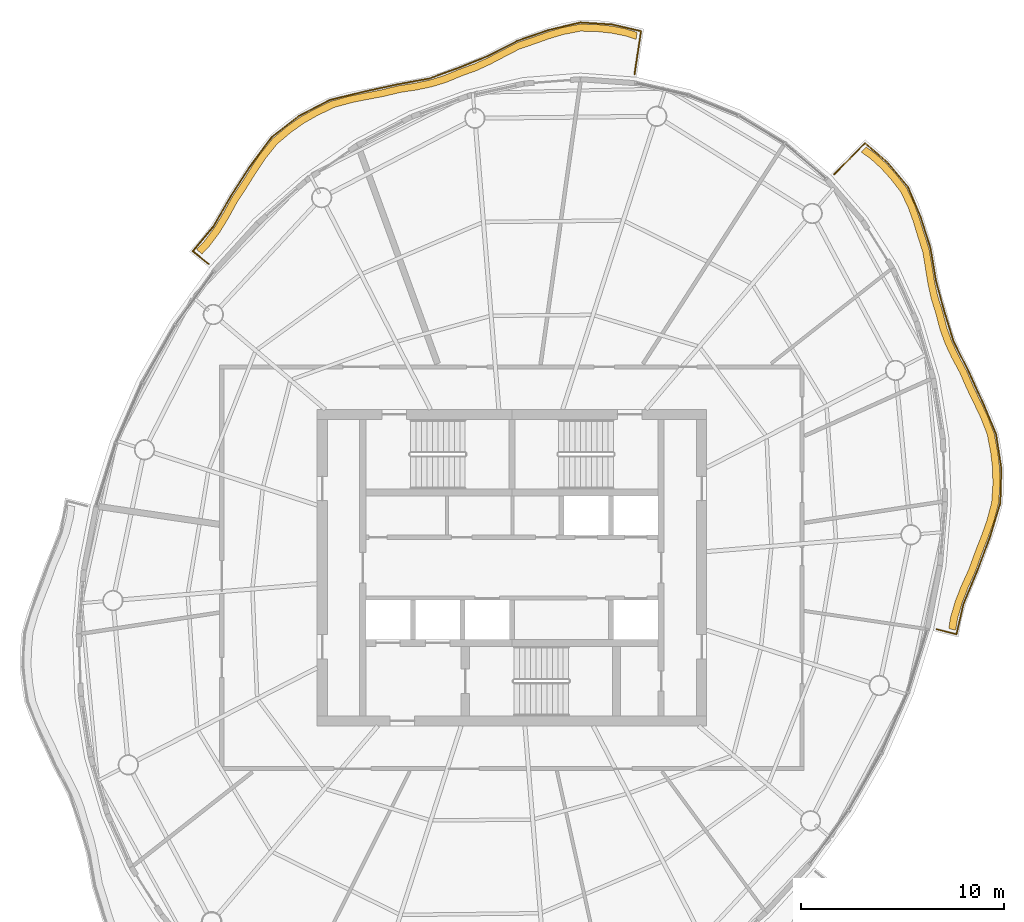
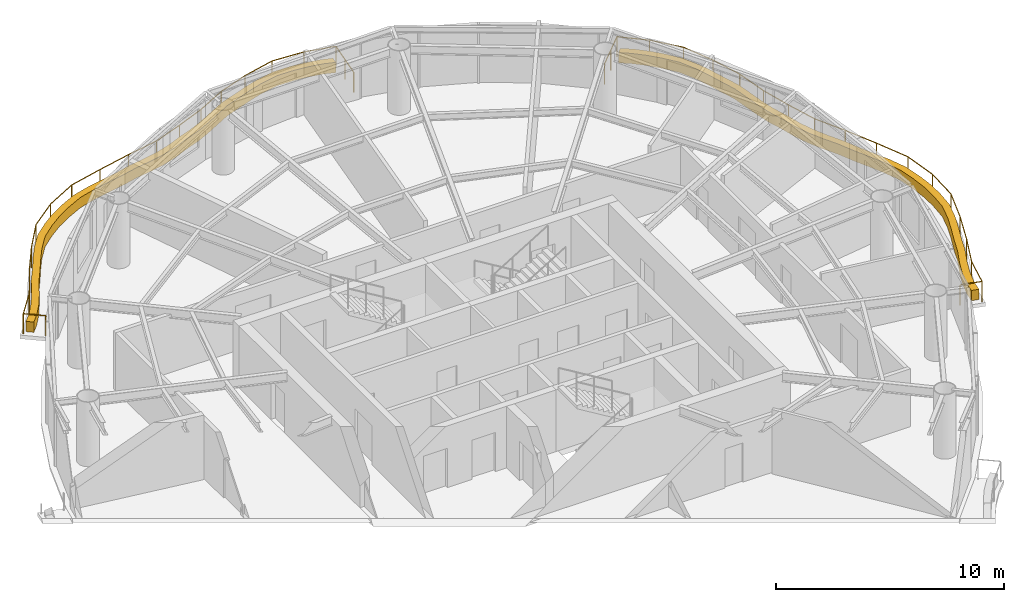
# One storey, part 13 of 13: 2 coverings, 2 railings.
"""IFC4 building model written with IfcOpenShell, lengths in metres."""

from ifc_helpers import new_model, si_unit, direction, frame, origin, origin_2d, place, context, subcontext, project, spatial, polyline, circle, outline, extrude, material, type_object, element, save


model = new_model("IFC4")

# Units and contexts
model_context = context("Model", 3, precision=1e-05, world=origin(), true_north=direction((0.0, 1.0)))
body_context = subcontext(model_context, "Body", "Model", "MODEL_VIEW")
ifc_project = project(units=[si_unit("LENGTHUNIT", "METRE"), si_unit("AREAUNIT", "SQUARE_METRE"), si_unit("VOLUMEUNIT", "CUBIC_METRE"), si_unit("PLANEANGLEUNIT", "RADIAN"), si_unit("MASSUNIT", "GRAM", prefix="KILO")], contexts=[model_context])

# Site, building, storey
site_placement = place(None, origin())
site = spatial("IfcSite", under=ifc_project, at=site_placement, CompositionType="ELEMENT")
building_placement = place(site_placement, origin())
building = spatial("IfcBuilding", under=site, at=building_placement, Name="Vermilion Reach Broadcast Tower", CompositionType="ELEMENT")
storey_placement = place(building_placement, frame((0.0, 0.0, 286.5)))
storey = spatial("IfcBuildingStorey", under=building, at=storey_placement, Name="L71", CompositionType="ELEMENT", Elevation=286.5)

# Coverings
ifc_material_1 = material(Name="Planting soil and greenery")
covering_type = type_object("IfcCoveringType", Name="Balcony PLANTER", PredefinedType="USERDEFINED", material=ifc_material_1)
placement = place(storey_placement, origin())
element("IfcCovering", 1, at=placement, inside=storey, type_object=covering_type, Name="PLANTER L71 group 1", ObjectType="PLANTER", PredefinedType="USERDEFINED", context=body_context, shape_type="SweptSolid", body=[
    extrude(outline(polyline([(0.17138671875, 26.37646484375), (-0.380126953125, 26.5556640625), (-1.064697265625, 26.69189453125), (-1.75390625, 26.766845703125), (-2.627197265625, 26.792236328125), (-3.504150390625, 26.622802734375), (-4.19775390625, 26.4150390625), (-4.888427734375, 26.1689453125), (-5.701904296875, 25.8935546875), (-6.484130859375, 25.495849609375), (-7.149169921875, 25.146484375), (-7.822998046875, 24.837158203125), (-8.5810546875, 24.5673828125), (-9.33642578125, 24.252685546875), (-10.04833984375, 24.032470703125), (-10.784423828125, 23.876708984375), (-11.622802734375, 23.744873046875), (-12.4755859375, 23.53759765625), (-13.25927734375, 23.38818359375), (-14.0400390625, 23.23291015625), (-14.927001953125, 22.986572265625), (-15.763427734375, 22.58203125), (-16.447265625, 22.196044921875), (-17.08544921875, 21.74462890625), (-17.792236328125, 21.150146484375), (-18.38818359375, 20.411865234375), (-18.846435546875, 19.72509765625), (-19.287109375, 19.01806640625), (-19.79248046875, 18.2568359375), (-20.2373046875, 17.451904296875), (-20.668212890625, 16.748291015625), (-21.155517578125, 16.095947265625), (-21.54443359375, 15.680419921875), (-21.272705078125, 15.4599609375), (-20.896240234375, 15.861083984375), (-20.40869140625, 16.513427734375), (-19.97802734375, 17.216796875), (-19.546630859375, 18.007568359375), (-19.055908203125, 18.75537109375), (-18.615234375, 19.46240234375), (-18.156982421875, 20.149169921875), (-17.57666015625, 20.87451171875), (-16.886474609375, 21.456787109375), (-16.248291015625, 21.908203125), (-15.564453125, 22.2939453125), (-14.745849609375, 22.68701171875), (-13.87744140625, 22.9228515625), (-13.096923828125, 23.078125), (-12.31298828125, 23.227783203125), (-11.480712890625, 23.425048828125), (-10.662841796875, 23.548583984375), (-9.927001953125, 23.7041015625), (-9.21484375, 23.92431640625), (-8.482177734375, 24.231689453125), (-7.7470703125, 24.49560546875), (-7.072998046875, 24.804931640625), (-6.407958984375, 25.154052734375), (-5.650390625, 25.547607421875), (-4.861572265625, 25.820068359375), (-4.1708984375, 26.066162109375), (-3.477294921875, 26.27392578125), (-2.626220703125, 26.442138671875), (-1.779052734375, 26.417724609375), (-1.090087890625, 26.3427734375), (-0.4052734375, 26.206787109375), (0.119384765625, 26.030517578125), (0.17138671875, 26.37646484375)])), origin(), (0.0, 0.0, 1.0), 0.550048828125),
])
element("IfcCovering", 2, at=placement, inside=storey, type_object=covering_type, Name="PLANTER L71 group 4", ObjectType="PLANTER", PredefinedType="USERDEFINED", context=body_context, shape_type="SweptSolid", body=[
    extrude(outline(polyline([(15.86767578125, -3.085693359375), (15.9609375, -2.523681640625), (16.185791015625, -1.74169921875), (16.486328125, -0.974609375), (16.861572265625, -0.136962890625), (17.168212890625, 0.72216796875), (17.472412109375, 1.498046875), (17.752197265625, 2.275634765625), (17.992919921875, 3.19384765625), (18.05322265625, 4.115234375), (18.04052734375, 4.897216796875), (17.94775390625, 5.676025390625), (17.777587890625, 6.589599609375), (17.4482421875, 7.449462890625), (17.10791015625, 8.168212890625), (16.758544921875, 8.8857421875), (16.412109375, 9.69384765625), (16.011962890625, 10.44482421875), (15.691162109375, 11.1259765625), (15.435546875, 11.82666015625), (15.22998046875, 12.6181640625), (14.988037109375, 13.384033203125), (14.82861328125, 14.107421875), (14.708251953125, 14.84814453125), (14.55908203125, 15.711181640625), (14.294921875, 16.527099609375), (14.08154296875, 17.229248046875), (13.837158203125, 17.911865234375), (13.453369140625, 18.718505859375), (12.916015625, 19.406982421875), (12.448486328125, 19.91845703125), (11.934326171875, 20.3896484375), (11.463623046875, 20.728515625), (11.21728515625, 20.47998046875), (11.669677734375, 20.16064453125), (12.18359375, 19.689453125), (12.651123046875, 19.177978515625), (13.17236328125, 18.510009765625), (13.541259765625, 17.724609375), (13.78564453125, 17.042236328125), (13.9990234375, 16.340087890625), (14.250732421875, 15.54541015625), (14.388916015625, 14.704833984375), (14.50927734375, 13.964111328125), (14.668701171875, 13.24072265625), (14.90185546875, 12.49658203125), (15.099853515625, 11.727783203125), (15.355224609375, 11.027099609375), (15.67626953125, 10.345703125), (16.07080078125, 9.61669921875), (16.4130859375, 8.830810546875), (16.76220703125, 8.11328125), (17.1025390625, 7.394287109375), (17.42919921875, 6.5556640625), (17.597900390625, 5.66357421875), (17.69091796875, 4.884521484375), (17.70361328125, 4.1025390625), (17.64306640625, 3.20166015625), (17.4033203125, 2.303955078125), (17.12353515625, 1.5263671875), (16.8193359375, 0.75048828125), (16.514892578125, -0.089111328125), (16.14306640625, -0.9072265625), (15.84228515625, -1.67431640625), (15.61767578125, -2.456298828125), (15.5283203125, -2.99951171875), (15.86767578125, -3.085693359375)])), origin(), (0.0, 0.0, 1.0), 0.550048828125),
])

# Railings
ifc_material_2 = material(Name="Stainless steel 316 balustrade", Category="steel")
railing_type = type_object("IfcRailingType", Name="Balcony guard 1100", PredefinedType="BALUSTRADE", material=ifc_material_2)
railing_1_placement = place(storey_placement, frame((0.044677734375, 24.33056640625, 0.0)))
element("IfcRailing", 3, at=railing_1_placement, inside=storey, type_object=railing_type, Name="Balcony guard L71 group 1", PredefinedType="BALUSTRADE", context=body_context, shape_type="SweptSolid", body=[
    extrude(circle(Radius=0.02490234375, at=origin_2d()), frame((0.0, 0.0, 1.0751953125), z_axis=(0.148938497179, 0.988846461316, 0.0), x_axis=(-0.988846461316, 0.148938497179, 0.0)), (0.0, 0.0, 1.0), 2.135986328125),
    extrude(circle(Radius=0.02490234375, at=origin_2d()), frame((0.318115234375, 2.112060546875, 1.0751953125), z_axis=(-0.974281120698, 0.225335966617, 0.0), x_axis=(-0.225335966617, -0.974281120698, 0.0)), (0.0, 0.0, 1.0), 1.45947265625),
    extrude(circle(Radius=0.02490234375, at=origin_2d()), frame((-1.103759765625, 2.44091796875, 1.0751953125), z_axis=(-0.997949069565, 0.064012924904, 0.0), x_axis=(-0.064012924904, -0.997949069565, 0.0)), (0.0, 0.0, 1.0), 1.5712890625),
    extrude(circle(Radius=0.02490234375, at=origin_2d()), frame((-2.671875, 2.54150390625, 1.0751953125), z_axis=(-0.972555189632, -0.232672308452, 0.0), x_axis=(0.232672308452, -0.972555189632, 0.0)), (0.0, 0.0, 1.0), 1.62109375),
    extrude(circle(Radius=0.02490234375, at=origin_2d()), frame((-4.24853515625, 2.164306640625, 1.0751953125), z_axis=(-0.945109563273, -0.326753597393, 0.0), x_axis=(0.326753597393, -0.945109563273, 0.0)), (0.0, 0.0, 1.0), 1.597412109375),
    extrude(circle(Radius=0.02490234375, at=origin_2d()), frame((-5.75830078125, 1.642333984375, 1.0751953125), z_axis=(-0.889015098341, -0.457877882106, 0.0), x_axis=(0.457877882106, -0.889015098341, 0.0)), (0.0, 0.0, 1.0), 1.63427734375),
    extrude(circle(Radius=0.02490234375, at=origin_2d()), frame((-7.211181640625, 0.89404296875, 1.0751953125), z_axis=(-0.927266025225, -0.374403149645, 0.0), x_axis=(0.374403149645, -0.927266025225, 0.0)), (0.0, 0.0, 1.0), 1.550048828125),
    extrude(circle(Radius=0.02490234375, at=origin_2d()), frame((-8.6484375, 0.313720703125, 1.0751953125), z_axis=(-0.93949743465, -0.342555937456, 0.0), x_axis=(0.342555937456, -0.93949743465, 0.0)), (0.0, 0.0, 1.0), 1.567138671875),
    extrude(circle(Radius=0.02490234375, at=origin_2d()), frame((-10.120849609375, -0.22314453125, 1.0751953125), z_axis=(-0.983628129527, -0.180210162877, 0.0), x_axis=(0.180210162877, -0.983628129527, 0.0)), (0.0, 0.0, 1.0), 1.60546875),
    extrude(circle(Radius=0.02490234375, at=origin_2d()), frame((-11.699951171875, -0.512451171875, 1.0751953125), z_axis=(-0.976882948945, -0.213774891089, 0.0), x_axis=(0.213774891089, -0.976882948945, 0.0)), (0.0, 0.0, 1.0), 1.679931640625),
    extrude(circle(Radius=0.02490234375, at=origin_2d()), frame((-13.341064453125, -0.87158203125, 1.0751953125), z_axis=(-0.972056528359, -0.234746897051, 0.0), x_axis=(0.234746897051, -0.972056528359, 0.0)), (0.0, 0.0, 1.0), 1.72021484375),
    extrude(circle(Radius=0.02490234375, at=origin_2d()), frame((-15.01318359375, -1.275390625, 1.0751953125), z_axis=(-0.887063209808, -0.46164798473, 0.0), x_axis=(0.46164798473, -0.887063209808, 0.0)), (0.0, 0.0, 1.0), 1.71826171875),
    extrude(circle(Radius=0.02490234375, at=origin_2d()), frame((-16.537353515625, -2.068603515625, 1.0751953125), z_axis=(-0.789382994978, -0.613901040266, 0.0), x_axis=(0.613901040266, -0.789382994978, 0.0)), (0.0, 0.0, 1.0), 1.70849609375),
    extrude(circle(Radius=0.02490234375, at=origin_2d()), frame((-17.885986328125, -3.117431640625, 1.0751953125), z_axis=(-0.595352379087, -0.803464712801, 0.0), x_axis=(0.803464712801, -0.595352379087, 0.0)), (0.0, 0.0, 1.0), 1.77734375),
    extrude(circle(Radius=0.02490234375, at=origin_2d()), frame((-18.944091796875, -4.54541015625, 1.0751953125), z_axis=(-0.542088760141, -0.840321233891, 0.0), x_axis=(0.840321233891, -0.542088760141, 0.0)), (0.0, 0.0, 1.0), 1.7509765625),
    extrude(circle(Radius=0.02490234375, at=origin_2d()), frame((-19.893310546875, -6.016845703125, 1.0751953125), z_axis=(-0.502516100614, -0.864567850792, 0.0), x_axis=(0.864567850792, -0.502516100614, 0.0)), (0.0, 0.0, 1.0), 1.74853515625),
    extrude(circle(Radius=0.02490234375, at=origin_2d()), frame((-20.77197265625, -7.528564453125, 1.0751953125), z_axis=(-0.638833746708, -0.769344814805, 0.0), x_axis=(0.769344814805, -0.638833746708, 0.0)), (0.0, 0.0, 1.0), 1.565673828125),
    extrude(circle(Radius=0.02490234375, at=origin_2d()), frame((-21.772216796875, -8.733154296875, 1.0751953125), z_axis=(0.776697507693, -0.629873782232, 0.0), x_axis=(0.629873782232, 0.776697507693, 0.0)), (0.0, 0.0, 1.0), 0.997802734375),
    extrude(circle(Radius=0.02490234375, at=origin_2d()), origin(), (0.0, 0.0, 1.0), 1.050048828125),
    extrude(circle(Radius=0.02490234375, at=origin_2d()), frame((0.1591796875, 1.05615234375, 0.0)), (0.0, 0.0, 1.0), 1.050048828125),
    extrude(circle(Radius=0.02490234375, at=origin_2d()), frame((0.318115234375, 2.112060546875, 0.0)), (0.0, 0.0, 1.0), 1.050048828125),
    extrude(circle(Radius=0.02490234375, at=origin_2d()), frame((-1.103759765625, 2.44091796875, 0.0)), (0.0, 0.0, 1.0), 1.050048828125),
    extrude(circle(Radius=0.02490234375, at=origin_2d()), frame((-2.671875, 2.54150390625, 0.0)), (0.0, 0.0, 1.0), 1.050048828125),
    extrude(circle(Radius=0.02490234375, at=origin_2d()), frame((-4.24853515625, 2.164306640625, 0.0)), (0.0, 0.0, 1.0), 1.050048828125),
    extrude(circle(Radius=0.02490234375, at=origin_2d()), frame((-5.75830078125, 1.642333984375, 0.0)), (0.0, 0.0, 1.0), 1.050048828125),
    extrude(circle(Radius=0.02490234375, at=origin_2d()), frame((-7.211181640625, 0.89404296875, 0.0)), (0.0, 0.0, 1.0), 1.050048828125),
    extrude(circle(Radius=0.02490234375, at=origin_2d()), frame((-8.6484375, 0.313720703125, 0.0)), (0.0, 0.0, 1.0), 1.050048828125),
    extrude(circle(Radius=0.02490234375, at=origin_2d()), frame((-10.120849609375, -0.22314453125, 0.0)), (0.0, 0.0, 1.0), 1.050048828125),
    extrude(circle(Radius=0.02490234375, at=origin_2d()), frame((-11.699951171875, -0.512451171875, 0.0)), (0.0, 0.0, 1.0), 1.050048828125),
    extrude(circle(Radius=0.02490234375, at=origin_2d()), frame((-13.341064453125, -0.87158203125, 0.0)), (0.0, 0.0, 1.0), 1.050048828125),
    extrude(circle(Radius=0.02490234375, at=origin_2d()), frame((-15.01318359375, -1.275390625, 0.0)), (0.0, 0.0, 1.0), 1.050048828125),
    extrude(circle(Radius=0.02490234375, at=origin_2d()), frame((-16.537353515625, -2.068603515625, 0.0)), (0.0, 0.0, 1.0), 1.050048828125),
    extrude(circle(Radius=0.02490234375, at=origin_2d()), frame((-17.885986328125, -3.117431640625, 0.0)), (0.0, 0.0, 1.0), 1.050048828125),
    extrude(circle(Radius=0.02490234375, at=origin_2d()), frame((-18.944091796875, -4.54541015625, 0.0)), (0.0, 0.0, 1.0), 1.050048828125),
    extrude(circle(Radius=0.02490234375, at=origin_2d()), frame((-19.893310546875, -6.016845703125, 0.0)), (0.0, 0.0, 1.0), 1.050048828125),
    extrude(circle(Radius=0.02490234375, at=origin_2d()), frame((-20.77197265625, -7.528564453125, 0.0)), (0.0, 0.0, 1.0), 1.050048828125),
    extrude(circle(Radius=0.02490234375, at=origin_2d()), frame((-21.772216796875, -8.733154296875, 0.0)), (0.0, 0.0, 1.0), 1.050048828125),
    extrude(circle(Radius=0.02490234375, at=origin_2d()), frame((-20.997314453125, -9.361572265625, 0.0)), (0.0, 0.0, 1.0), 1.050048828125),
])
railing_2_placement = place(storey_placement, frame((14.93896484375, -3.035400390625, 0.0)))
element("IfcRailing", 4, at=railing_2_placement, inside=storey, type_object=railing_type, Name="Balcony guard L71 group 4", PredefinedType="BALUSTRADE", context=body_context, shape_type="SweptSolid", body=[
    extrude(circle(Radius=0.02490234375, at=origin_2d()), frame((0.0, 0.0, 1.0751953125), z_axis=(0.969262125944, -0.246030346118, 0.0), x_axis=(0.246030346118, 0.969262125944, 0.0)), (0.0, 0.0, 1.0), 1.002197265625),
    extrude(circle(Radius=0.02490234375, at=origin_2d()), frame((0.971435546875, -0.24658203125, 1.0751953125), z_axis=(0.225987004303, 0.974130316686, 0.0), x_axis=(-0.974130316686, 0.225987004303, 0.0)), (0.0, 0.0, 1.0), 1.5654296875),
    extrude(circle(Radius=0.02490234375, at=origin_2d()), frame((1.3251953125, 1.2783203125, 1.0751953125), z_axis=(0.387681823798, 0.921793254204, 0.0), x_axis=(-0.921793254204, 0.387681823798, 0.0)), (0.0, 0.0, 1.0), 1.74560546875),
    extrude(circle(Radius=0.02490234375, at=origin_2d()), frame((2.001953125, 2.887451171875, 1.0751953125), z_axis=(0.349394907039, 0.936975559412, 0.0), x_axis=(-0.936975559412, 0.349394907039, 0.0)), (0.0, 0.0, 1.0), 1.749755859375),
    extrude(circle(Radius=0.02490234375, at=origin_2d()), frame((2.61328125, 4.52685546875, 1.0751953125), z_axis=(0.29265792117, 0.956217203974, 0.0), x_axis=(-0.956217203974, 0.29265792117, 0.0)), (0.0, 0.0, 1.0), 1.778564453125),
    extrude(circle(Radius=0.02490234375, at=origin_2d()), frame((3.1337890625, 6.2275390625, 1.0751953125), z_axis=(0.028009021215, 0.999607670404, 0.0), x_axis=(-0.999607670404, 0.028009021215, 0.0)), (0.0, 0.0, 1.0), 1.70849609375),
    extrude(circle(Radius=0.02490234375, at=origin_2d()), frame((3.181640625, 7.935302734375, 1.0751953125), z_axis=(-0.153349293619, 0.988172046835, 0.0), x_axis=(-0.988172046835, -0.153349293619, 0.0)), (0.0, 0.0, 1.0), 1.7177734375),
    extrude(circle(Radius=0.02490234375, at=origin_2d()), frame((2.918212890625, 9.6328125, 1.0751953125), z_axis=(-0.389871561187, 0.920869244669, 0.0), x_axis=(-0.920869244669, -0.389871561187, 0.0)), (0.0, 0.0, 1.0), 1.719482421875),
    extrude(circle(Radius=0.02490234375, at=origin_2d()), frame((2.247802734375, 11.21630859375, 1.0751953125), z_axis=(-0.414163842774, 0.910202346371, 0.0), x_axis=(-0.910202346371, -0.414163842774, 0.0)), (0.0, 0.0, 1.0), 1.681884765625),
    extrude(circle(Radius=0.02490234375, at=origin_2d()), frame((1.55126953125, 12.7470703125, 1.0751953125), z_axis=(-0.449155490755, 0.893453605469, 0.0), x_axis=(-0.893453605469, -0.449155490755, 0.0)), (0.0, 0.0, 1.0), 1.6083984375),
    extrude(circle(Radius=0.02490234375, at=origin_2d()), frame((0.828857421875, 14.18408203125, 1.0751953125), z_axis=(-0.295257139529, 0.955417825643, 0.0), x_axis=(-0.955417825643, -0.295257139529, 0.0)), (0.0, 0.0, 1.0), 1.56689453125),
    extrude(circle(Radius=0.02490234375, at=origin_2d()), frame((0.3662109375, 15.68115234375, 1.0751953125), z_axis=(-0.260714363696, 0.965415983171, 0.0), x_axis=(-0.965415983171, -0.260714363696, 0.0)), (0.0, 0.0, 1.0), 1.5478515625),
    extrude(circle(Radius=0.02490234375, at=origin_2d()), frame((-0.037353515625, 17.175537109375, 1.0751953125), z_axis=(-0.166679277444, 0.98601116549, 0.0), x_axis=(-0.98601116549, -0.166679277444, 0.0)), (0.0, 0.0, 1.0), 1.631591796875),
    extrude(circle(Radius=0.02490234375, at=origin_2d()), frame((-0.309326171875, 18.784423828125, 1.0751953125), z_axis=(-0.300867956045, 0.953665807831, 0.0), x_axis=(-0.953665807831, -0.300867956045, 0.0)), (0.0, 0.0, 1.0), 1.596923828125),
    extrude(circle(Radius=0.02490234375, at=origin_2d()), frame((-0.789794921875, 20.307373046875, 1.0751953125), z_axis=(-0.389355203299, 0.921087686197, 0.0), x_axis=(-0.921087686197, -0.389355203299, 0.0)), (0.0, 0.0, 1.0), 1.6220703125),
    extrude(circle(Radius=0.02490234375, at=origin_2d()), frame((-1.42138671875, 21.801513671875, 1.0751953125), z_axis=(-0.641955778564, 0.766741663383, 0.0), x_axis=(-0.766741663383, -0.641955778564, 0.0)), (0.0, 0.0, 1.0), 1.571044921875),
    extrude(circle(Radius=0.02490234375, at=origin_2d()), frame((-2.429931640625, 23.006103515625, 1.0751953125), z_axis=(-0.758535765415, 0.651631408533, 0.0), x_axis=(-0.651631408533, -0.758535765415, 0.0)), (0.0, 0.0, 1.0), 1.459228515625),
    extrude(circle(Radius=0.02490234375, at=origin_2d()), frame((-3.536865234375, 23.95703125, 1.0751953125), z_axis=(-0.703523394405, -0.710672099864, 0.0), x_axis=(0.710672099864, -0.703523394405, 0.0)), (0.0, 0.0, 1.0), 2.151611328125),
    extrude(circle(Radius=0.02490234375, at=origin_2d()), origin(), (0.0, 0.0, 1.0), 1.050048828125),
    extrude(circle(Radius=0.02490234375, at=origin_2d()), frame((0.971435546875, -0.24658203125, 0.0)), (0.0, 0.0, 1.0), 1.050048828125),
    extrude(circle(Radius=0.02490234375, at=origin_2d()), frame((1.3251953125, 1.2783203125, 0.0)), (0.0, 0.0, 1.0), 1.050048828125),
    extrude(circle(Radius=0.02490234375, at=origin_2d()), frame((2.001953125, 2.887451171875, 0.0)), (0.0, 0.0, 1.0), 1.050048828125),
    extrude(circle(Radius=0.02490234375, at=origin_2d()), frame((2.61328125, 4.52685546875, 0.0)), (0.0, 0.0, 1.0), 1.050048828125),
    extrude(circle(Radius=0.02490234375, at=origin_2d()), frame((3.1337890625, 6.2275390625, 0.0)), (0.0, 0.0, 1.0), 1.050048828125),
    extrude(circle(Radius=0.02490234375, at=origin_2d()), frame((3.181640625, 7.935302734375, 0.0)), (0.0, 0.0, 1.0), 1.050048828125),
    extrude(circle(Radius=0.02490234375, at=origin_2d()), frame((2.918212890625, 9.6328125, 0.0)), (0.0, 0.0, 1.0), 1.050048828125),
    extrude(circle(Radius=0.02490234375, at=origin_2d()), frame((2.247802734375, 11.21630859375, 0.0)), (0.0, 0.0, 1.0), 1.050048828125),
    extrude(circle(Radius=0.02490234375, at=origin_2d()), frame((1.55126953125, 12.7470703125, 0.0)), (0.0, 0.0, 1.0), 1.050048828125),
    extrude(circle(Radius=0.02490234375, at=origin_2d()), frame((0.828857421875, 14.18408203125, 0.0)), (0.0, 0.0, 1.0), 1.050048828125),
    extrude(circle(Radius=0.02490234375, at=origin_2d()), frame((0.3662109375, 15.68115234375, 0.0)), (0.0, 0.0, 1.0), 1.050048828125),
    extrude(circle(Radius=0.02490234375, at=origin_2d()), frame((-0.037353515625, 17.175537109375, 0.0)), (0.0, 0.0, 1.0), 1.050048828125),
    extrude(circle(Radius=0.02490234375, at=origin_2d()), frame((-0.309326171875, 18.784423828125, 0.0)), (0.0, 0.0, 1.0), 1.050048828125),
    extrude(circle(Radius=0.02490234375, at=origin_2d()), frame((-0.789794921875, 20.307373046875, 0.0)), (0.0, 0.0, 1.0), 1.050048828125),
    extrude(circle(Radius=0.02490234375, at=origin_2d()), frame((-1.42138671875, 21.801513671875, 0.0)), (0.0, 0.0, 1.0), 1.050048828125),
    extrude(circle(Radius=0.02490234375, at=origin_2d()), frame((-2.429931640625, 23.006103515625, 0.0)), (0.0, 0.0, 1.0), 1.050048828125),
    extrude(circle(Radius=0.02490234375, at=origin_2d()), frame((-3.536865234375, 23.95703125, 0.0)), (0.0, 0.0, 1.0), 1.050048828125),
    extrude(circle(Radius=0.02490234375, at=origin_2d()), frame((-4.293701171875, 23.1923828125, 0.0)), (0.0, 0.0, 1.0), 1.050048828125),
    extrude(circle(Radius=0.02490234375, at=origin_2d()), frame((-5.050537109375, 22.427978515625, 0.0)), (0.0, 0.0, 1.0), 1.050048828125),
])

save(model, "model.ifc")
